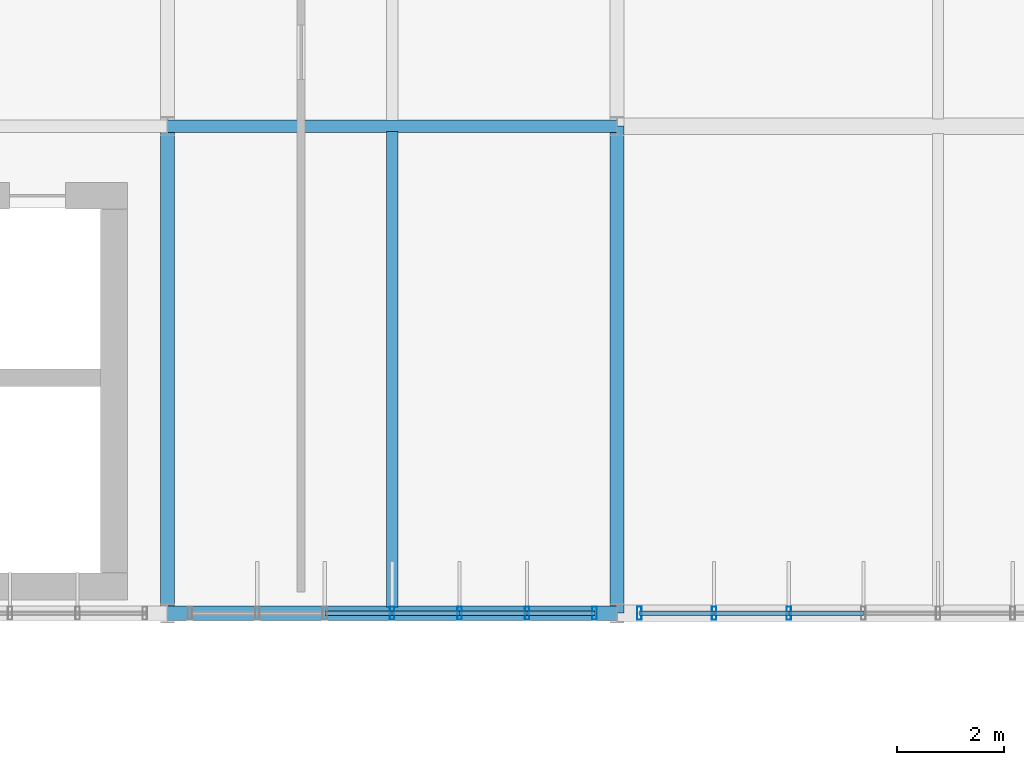
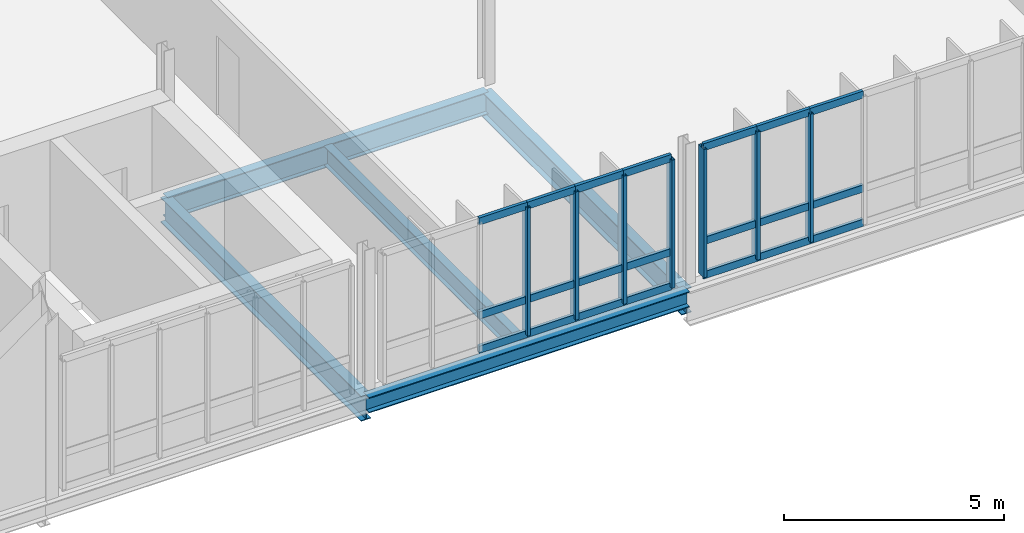
# One storey, part 33 of 61: 28 members, 5 beams, 2 elements without a shape of their own.
"""IFC4 building model written with IfcOpenShell, lengths in metres."""

import ifcopenshell
import ifcopenshell.guid

model = None  # the IFC model being written
_history = None  # IfcOwnerHistory: only IFC2X3 demands one
_inside = {}  # id of a spatial element -> (the spatial element, [elements in it])
_under = {}  # id of a project, library or spatial element -> (it, [spatial elements below it])
_declared = {}  # id of a project -> (the project, [libraries it declares])
_typed = {}  # id of a type object -> (the type object, [elements of that type])
_made_of = {}  # id of a material, layer set ... -> (it, [elements and type objects made of it])


def new_model(schema):
    """Start an empty IFC model of exactly this schema.

    Asked for "IFC4X3", IfcOpenShell would pick the latest addendum, in which some entities
    have other attributes; the version numbers below select the first issue.
    IFC2X3 requires an IfcOwnerHistory on every rooted entity: one is made here for all.
    """
    global model, _history
    if schema == "IFC4X3":
        model = ifcopenshell.file(schema_version=(4, 3, 0, 0))
    else:
        model = ifcopenshell.file(schema=schema)
    _inside.clear()
    _under.clear()
    _declared.clear()
    _typed.clear()
    _made_of.clear()
    _history = None
    if model.schema == "IFC2X3":
        org = make("IfcOrganization", Name="unknown")
        user = make(
            "IfcPersonAndOrganization",
            ThePerson=make("IfcPerson", FamilyName="unknown"),
            TheOrganization=org,
        )
        app = make(
            "IfcApplication",
            ApplicationDeveloper=org,
            Version="unknown",
            ApplicationFullName="unknown",
            ApplicationIdentifier="unknown",
        )
        _history = make(
            "IfcOwnerHistory",
            OwningUser=user,
            OwningApplication=app,
            ChangeAction="ADDED",
            CreationDate=0,
        )
    return model


def make(cls, **values):
    """One entity of the class cls with the attributes given. An attribute that is None is left unset."""
    return model.create_entity(
        cls, **{name: value for name, value in values.items() if value is not None}
    )


def rooted(cls, **values):
    """An entity with a GlobalId (a new one), such as an element, a storey or a relation."""
    return make(cls, GlobalId=ifcopenshell.guid.new(), OwnerHistory=_history, **values)


def si_unit(unit_type, name, prefix=None):
    """IfcSIUnit, for example si_unit("LENGTHUNIT", "METRE", prefix="MILLI")."""
    return make("IfcSIUnit", UnitType=unit_type, Prefix=prefix, Name=name)


def derived_unit(unit_type, elements):
    """IfcDerivedUnit: a product of units, each with its exponent."""
    return make(
        "IfcDerivedUnit",
        Elements=[
            make("IfcDerivedUnitElement", Unit=unit, Exponent=power)
            for unit, power in elements
        ],
        UnitType=unit_type,
    )


def assignment(units):
    """IfcUnitAssignment: the units of a project."""
    return None if units is None else make("IfcUnitAssignment", Units=units)


def point(xyz):
    """IfcCartesianPoint."""
    return None if xyz is None else make("IfcCartesianPoint", Coordinates=xyz)


def direction(xyz):
    """IfcDirection."""
    return None if xyz is None else make("IfcDirection", DirectionRatios=xyz)


def frame(location, z_axis=None, x_axis=None):
    """IfcAxis2Placement3D, a coordinate frame: its origin and axes. An axis left out is left unset."""
    return make(
        "IfcAxis2Placement3D",
        Location=point(location),
        Axis=direction(z_axis),
        RefDirection=direction(x_axis),
    )


def frame_2d(location, x_axis=None):
    """IfcAxis2Placement2D, a coordinate frame in the plane: its origin and x axis."""
    return make(
        "IfcAxis2Placement2D", Location=point(location), RefDirection=direction(x_axis)
    )


def origin():
    """The frame at (0, 0, 0) with its axes left unset."""
    return frame((0.0, 0.0, 0.0))


def origin_2d():
    """The frame at (0, 0) in the plane with its x axis left unset."""
    return frame_2d((0.0, 0.0))


def place(relative_to, where):
    """IfcLocalPlacement: puts the frame where relative to a parent placement (None: the world)."""
    return make(
        "IfcLocalPlacement", PlacementRelTo=relative_to, RelativePlacement=where
    )


def context(
    kind, dimensions, precision=None, world=None, true_north=None, identifier=None
):
    """IfcGeometricRepresentationContext, for example the 3D "Model" context."""
    return make(
        "IfcGeometricRepresentationContext",
        ContextIdentifier=identifier,
        ContextType=kind,
        CoordinateSpaceDimension=dimensions,
        Precision=precision,
        WorldCoordinateSystem=world,
        TrueNorth=true_north,
    )


def subcontext(parent, identifier, kind, view, scale=None):
    """IfcGeometricRepresentationSubContext, for example "Body" below "Model"."""
    return make(
        "IfcGeometricRepresentationSubContext",
        ContextIdentifier=identifier,
        ContextType=kind,
        ParentContext=parent,
        TargetScale=scale,
        TargetView=view,
    )


def project(units=None, contexts=None):
    """IfcProject with its units and contexts."""
    return rooted(
        "IfcProject",
        Name="project",
        RepresentationContexts=contexts,
        UnitsInContext=assignment(units),
    )


def spatial(cls, under=None, at=None, **own):
    """A site, building, storey or space (cls), placed at a placement, below another one or the project."""
    s = rooted(cls, ObjectPlacement=at, **own)
    if under is not None:
        _under.setdefault(under.id(), (under, []))[1].append(s)
    return s


def profile(cls, at=None, kind="AREA", **sizes):
    """A parametric profile (cls). Its sizes go by their IFC names, for example OverallWidth=200.0."""
    return make(cls, ProfileType=kind, Position=at, **sizes)


def hollow_rectangle(**sizes):
    """IfcRectangleHollowProfileDef."""
    return profile("IfcRectangleHollowProfileDef", **sizes)


def i_section(**sizes):
    """IfcIShapeProfileDef."""
    return profile("IfcIShapeProfileDef", **sizes)


def extrude(swept, where, along, depth):
    """IfcExtrudedAreaSolid: the profile swept, set in the frame where, extruded along a direction by depth."""
    return make(
        "IfcExtrudedAreaSolid",
        SweptArea=swept,
        Position=where,
        ExtrudedDirection=direction(along),
        Depth=depth,
    )


def shape(context_of_items, identifier, shape_type, items):
    """IfcShapeRepresentation: the items that make up one representation, for example the "Body"."""
    return make(
        "IfcShapeRepresentation",
        ContextOfItems=context_of_items,
        RepresentationIdentifier=identifier,
        RepresentationType=shape_type,
        Items=items,
    )


def material(Name=None, Category=None):
    """IfcMaterial."""
    return make("IfcMaterial", Name=Name, Category=Category)


def layer(
    of_material, thickness, ventilated=None, Name=None, Category=None, Priority=None
):
    """IfcMaterialLayer: one layer of a wall or slab, of a material (None: an air gap)."""
    return make(
        "IfcMaterialLayer",
        Material=of_material,
        LayerThickness=thickness,
        IsVentilated=ventilated,
        Name=Name,
        Category=Category,
        Priority=Priority,
    )


def layer_set(layers, Name=None):
    """IfcMaterialLayerSet."""
    return make("IfcMaterialLayerSet", MaterialLayers=layers, LayerSetName=Name)


def material_profile(
    of_material, cross_section, Name=None, Category=None, Priority=None
):
    """IfcMaterialProfile: a cross section and its material."""
    return make(
        "IfcMaterialProfile",
        Name=Name,
        Material=of_material,
        Profile=cross_section,
        Priority=Priority,
        Category=Category,
    )


def profile_set(profiles, Name=None, composite=None):
    """IfcMaterialProfileSet."""
    return make(
        "IfcMaterialProfileSet",
        Name=Name,
        MaterialProfiles=profiles,
        CompositeProfile=composite,
    )


def made_of(thing, what):
    """Note that an element or type object is made of a material, layer set ...; save() writes the relation."""
    if what is not None:
        _made_of.setdefault(what.id(), (what, []))[1].append(thing)
    return thing


def type_object(cls, material=None, **own):
    """A type object (cls), such as IfcWallType, which elements share."""
    return made_of(rooted(cls, **own), material)


def element(
    cls,
    number,
    at=None,
    inside=None,
    cuts=None,
    type_object=None,
    material=None,
    context=None,
    identifier="Body",
    shape_type=None,
    held_by="IfcProductDefinitionShape",
    body=None,
    shapes=None,
    **own,
):
    """One element of the class cls, such as IfcWall. Its Tag is "e" and its number.

    at: its placement. inside: the storey or other place that contains it. cuts: it is an
    opening in that element (IfcRelVoidsElement). A single representation is given by context,
    identifier, shape_type and body (its items); several are given by shapes. held_by: the class
    of the entity that holds the representations. save() writes the other relations.
    """
    e = rooted(cls, Tag="e%d" % number, ObjectPlacement=at, **own)
    if body is not None:
        shapes = [shape(context, identifier, shape_type, body)]
    if shapes is not None:
        e.Representation = make(held_by, Representations=shapes)
    if inside is not None:
        _inside.setdefault(inside.id(), (inside, []))[1].append(e)
    if cuts is not None:
        rooted(
            "IfcRelVoidsElement", RelatingBuildingElement=cuts, RelatedOpeningElement=e
        )
    if type_object is not None:
        _typed.setdefault(type_object.id(), (type_object, []))[1].append(e)
    return made_of(e, material)


def aggregate(whole, parts):
    """IfcRelAggregates: a whole, such as a stair, and the parts it consists of."""
    return rooted("IfcRelAggregates", RelatingObject=whole, RelatedObjects=parts)


def save(model, path):
    """Write the relations noted so far, then the file.

    IfcRelAggregates (storeys below a building ...), IfcRelContainedInSpatialStructure (elements
    in a storey), IfcRelDefinesByType, IfcRelAssociatesMaterial and IfcRelDeclares: one each for
    every whole, place, type object, material and project.
    """
    for whole, parts in _under.values():
        aggregate(whole, parts)
    for where, things in _inside.values():
        rooted(
            "IfcRelContainedInSpatialStructure",
            RelatedElements=things,
            RelatingStructure=where,
        )
    for kind, things in _typed.values():
        rooted("IfcRelDefinesByType", RelatedObjects=things, RelatingType=kind)
    for what, things in _made_of.values():
        rooted("IfcRelAssociatesMaterial", RelatedObjects=things, RelatingMaterial=what)
    for by, libraries in _declared.values():
        rooted("IfcRelDeclares", RelatingContext=by, RelatedDefinitions=libraries)
    model.write(path)


model = new_model("IFC4")

# Units and contexts
model_context = context("Model", 3, precision=1e-05, world=origin(), true_north=direction((0.0, 1.0)))
body_context = subcontext(model_context, "Body", "Model", "MODEL_VIEW")
ifc_project = project(units=[si_unit("LENGTHUNIT", "METRE"), si_unit("AREAUNIT", "SQUARE_METRE"), si_unit("VOLUMEUNIT", "CUBIC_METRE"), si_unit("PLANEANGLEUNIT", "RADIAN"), si_unit("MASSUNIT", "GRAM", prefix="KILO"), derived_unit("THERMALTRANSMITTANCEUNIT", [(si_unit("MASSUNIT", "GRAM", prefix="KILO"), 1), (si_unit("TIMEUNIT", "SECOND"), -3), (si_unit("THERMODYNAMICTEMPERATUREUNIT", "KELVIN"), -1)])], contexts=[model_context])

# Site, building, storey
site_placement = place(None, origin())
site = spatial("IfcSite", under=ifc_project, at=site_placement, CompositionType="ELEMENT")
building_placement = place(site_placement, origin())
building = spatial("IfcBuilding", under=site, at=building_placement, Name="Makaiwela Harbour Ferry Terminal", CompositionType="ELEMENT")
storey_placement = place(building_placement, frame((0.0, 0.0, 13.800048828125)))
storey = spatial("IfcBuildingStorey", under=building, at=storey_placement, Name="L03", CompositionType="ELEMENT", Elevation=13.800048828125)

# Curtain wall, members
ifc_material_1 = material(Name="Marine anodised aluminium 6063-T6", Category="aluminium")
ifc_layer_1 = layer(ifc_material_1, 0.199951171875)
ifc_layer_set_1 = layer_set([ifc_layer_1], Name="Marine anodised aluminium 6063-T6")
curtain_wall_type_1 = type_object("IfcCurtainWallType", Name="ENV-CW-15", PredefinedType="USERDEFINED", material=ifc_layer_set_1)
curtain_wall_1_placement = place(storey_placement, origin())
curtain_wall_1 = element("IfcCurtainWall", 1, at=curtain_wall_1_placement, inside=storey, type_object=curtain_wall_type_1, Name="Unitised Curtain Wall CWA-155", ObjectType="UNITIZED CURTAIN WALL", PredefinedType="USERDEFINED")
ifc_material_profile_1 = material_profile(ifc_material_1, hollow_rectangle(XDim=0.0849609375, YDim=0.25, WallThickness=0.0048828125, at=origin_2d()), Name="CWM-250X85")
ifc_profile_set_1 = profile_set([ifc_material_profile_1], Name="Marine anodised aluminium 6063-T6")
member_type_1 = type_object("IfcMemberType", Name="CW-MUL-250", PredefinedType="MULLION", material=ifc_profile_set_1)
member_1_placement = place(storey_placement, frame((154.97998046875, 49.39990234375, 0.0), z_axis=(0.0, 0.0, 1.0), x_axis=(1.0, 0.0, 0.0)))
member_1 = element("IfcMember", 2, at=member_1_placement, type_object=member_type_1, Name="Curtain Wall Mullion CWA-155-1", PredefinedType="MULLION", context=body_context, shape_type="SweptSolid", body=[
    extrude(hollow_rectangle(XDim=0.0849609375, YDim=0.25, WallThickness=0.0048828125, at=origin_2d()), origin(), (0.0, 0.0, 1.0), 3.550048828125),
])
member_2_placement = place(storey_placement, frame((153.719970703125, 49.39990234375, 0.0), z_axis=(0.0, 0.0, 1.0), x_axis=(1.0, 0.0, 0.0)))
member_2 = element("IfcMember", 3, at=member_2_placement, type_object=member_type_1, Name="Curtain Wall Mullion CWA-155-2", PredefinedType="MULLION", context=body_context, shape_type="SweptSolid", body=[
    extrude(hollow_rectangle(XDim=0.0849609375, YDim=0.25, WallThickness=0.0048828125, at=origin_2d()), origin(), (0.0, 0.0, 1.0), 3.550048828125),
])
member_3_placement = place(storey_placement, frame((152.4599609375, 49.39990234375, 0.0), z_axis=(0.0, 0.0, 1.0), x_axis=(1.0, 0.0, 0.0)))
member_3 = element("IfcMember", 4, at=member_3_placement, type_object=member_type_1, Name="Curtain Wall Mullion CWA-155-3", PredefinedType="MULLION", context=body_context, shape_type="SweptSolid", body=[
    extrude(hollow_rectangle(XDim=0.0849609375, YDim=0.25, WallThickness=0.0048828125, at=origin_2d()), origin(), (0.0, 0.0, 1.0), 3.550048828125),
])
member_4_placement = place(storey_placement, frame((151.199951171875, 49.39990234375, 0.0), z_axis=(0.0, 0.0, 1.0), x_axis=(1.0, 0.0, 0.0)))
member_4 = element("IfcMember", 5, at=member_4_placement, type_object=member_type_1, Name="Curtain Wall Mullion CWA-155-4", PredefinedType="MULLION", context=body_context, shape_type="SweptSolid", body=[
    extrude(hollow_rectangle(XDim=0.0849609375, YDim=0.25, WallThickness=0.0048828125, at=origin_2d()), origin(), (0.0, 0.0, 1.0), 3.550048828125),
])

ifc_layer_2 = layer(ifc_material_1, 0.199951171875)
ifc_layer_set_2 = layer_set([ifc_layer_2], Name="Marine anodised aluminium 6063-T6")
curtain_wall_type_2 = type_object("IfcCurtainWallType", Name="ENV-CW-19", PredefinedType="USERDEFINED", material=ifc_layer_set_2)
curtain_wall_2_placement = place(storey_placement, origin())
curtain_wall_2 = element("IfcCurtainWall", 6, at=curtain_wall_2_placement, inside=storey, type_object=curtain_wall_type_2, Name="Unitised Curtain Wall CWA-157", ObjectType="UNITIZED CURTAIN WALL", PredefinedType="USERDEFINED")
member_5_placement = place(storey_placement, frame((158.610107421875, 49.39990234375, 0.0), z_axis=(0.0, 0.0, 1.0), x_axis=(1.0, 0.0, 0.0)))
member_5 = element("IfcMember", 7, at=member_5_placement, type_object=member_type_1, Name="Curtain Wall Mullion CWA-157-7", PredefinedType="MULLION", context=body_context, shape_type="SweptSolid", body=[
    extrude(hollow_rectangle(XDim=0.0849609375, YDim=0.25, WallThickness=0.0048828125, at=origin_2d()), origin(), (0.0, 0.0, 1.0), 3.550048828125),
])
member_6_placement = place(storey_placement, frame((157.215087890625, 49.39990234375, 0.0), z_axis=(0.0, 0.0, 1.0), x_axis=(1.0, 0.0, 0.0)))
member_6 = element("IfcMember", 8, at=member_6_placement, type_object=member_type_1, Name="Curtain Wall Mullion CWA-157-8", PredefinedType="MULLION", context=body_context, shape_type="SweptSolid", body=[
    extrude(hollow_rectangle(XDim=0.0849609375, YDim=0.25, WallThickness=0.0048828125, at=origin_2d()), origin(), (0.0, 0.0, 1.0), 3.550048828125),
])
member_7_placement = place(storey_placement, frame((155.820068359375, 49.39990234375, 0.0), z_axis=(0.0, 0.0, 1.0), x_axis=(1.0, 0.0, 0.0)))
member_7 = element("IfcMember", 9, at=member_7_placement, type_object=member_type_1, Name="Curtain Wall Mullion CWA-157-9", PredefinedType="MULLION", context=body_context, shape_type="SweptSolid", body=[
    extrude(hollow_rectangle(XDim=0.0849609375, YDim=0.25, WallThickness=0.0048828125, at=origin_2d()), origin(), (0.0, 0.0, 1.0), 3.550048828125),
])

# Member
ifc_material_profile_2 = material_profile(ifc_material_1, hollow_rectangle(XDim=0.0849609375, YDim=0.199951171875, WallThickness=0.0048828125, at=origin_2d()), Name="CWT-200X85")
ifc_profile_set_2 = profile_set([ifc_material_profile_2], Name="Marine anodised aluminium 6063-T6")
member_type_2 = type_object("IfcMemberType", Name="CW-TRN-200", PredefinedType="USERDEFINED", material=ifc_profile_set_2)
member_8_placement = place(storey_placement, frame((154.97998046875, 49.39990234375, 0.0), z_axis=(-1.0, 0.0, 0.0), x_axis=(0.0, -1.0, 0.0)))
member_8 = element("IfcMember", 10, at=member_8_placement, type_object=member_type_2, Name="Curtain Wall Transom CWA-155-1-1", ObjectType="TRANSOM", PredefinedType="USERDEFINED", context=body_context, shape_type="SweptSolid", body=[
    extrude(hollow_rectangle(XDim=0.0849609375, YDim=0.199951171875, WallThickness=0.0048828125, at=origin_2d()), origin(), (0.0, 0.0, 1.0), 1.260009765625),
])

member_9_placement = place(storey_placement, frame((154.97998046875, 49.39990234375, 0.949951171875), z_axis=(-1.0, 0.0, 0.0), x_axis=(0.0, -1.0, 0.0)))
member_9 = element("IfcMember", 11, at=member_9_placement, type_object=member_type_2, Name="Curtain Wall Transom CWA-155-1-2", ObjectType="TRANSOM", PredefinedType="USERDEFINED", context=body_context, shape_type="SweptSolid", body=[
    extrude(hollow_rectangle(XDim=0.0849609375, YDim=0.199951171875, WallThickness=0.0048828125, at=origin_2d()), origin(), (0.0, 0.0, 1.0), 1.260009765625),
])

member_10_placement = place(storey_placement, frame((154.97998046875, 49.39990234375, 3.550048828125), z_axis=(-1.0, 0.0, 0.0), x_axis=(0.0, -1.0, 0.0)))
member_10 = element("IfcMember", 12, at=member_10_placement, type_object=member_type_2, Name="Curtain Wall Transom CWA-155-1-3", ObjectType="TRANSOM", PredefinedType="USERDEFINED", context=body_context, shape_type="SweptSolid", body=[
    extrude(hollow_rectangle(XDim=0.0849609375, YDim=0.199951171875, WallThickness=0.0048828125, at=origin_2d()), origin(), (0.0, 0.0, 1.0), 1.260009765625),
])

member_11_placement = place(storey_placement, frame((153.719970703125, 49.39990234375, 0.0), z_axis=(-1.0, 0.0, 0.0), x_axis=(0.0, -1.0, 0.0)))
member_11 = element("IfcMember", 13, at=member_11_placement, type_object=member_type_2, Name="Curtain Wall Transom CWA-155-2-1", ObjectType="TRANSOM", PredefinedType="USERDEFINED", context=body_context, shape_type="SweptSolid", body=[
    extrude(hollow_rectangle(XDim=0.0849609375, YDim=0.199951171875, WallThickness=0.0048828125, at=origin_2d()), origin(), (0.0, 0.0, 1.0), 1.260009765625),
])

member_12_placement = place(storey_placement, frame((153.719970703125, 49.39990234375, 0.949951171875), z_axis=(-1.0, 0.0, 0.0), x_axis=(0.0, -1.0, 0.0)))
member_12 = element("IfcMember", 14, at=member_12_placement, type_object=member_type_2, Name="Curtain Wall Transom CWA-155-2-2", ObjectType="TRANSOM", PredefinedType="USERDEFINED", context=body_context, shape_type="SweptSolid", body=[
    extrude(hollow_rectangle(XDim=0.0849609375, YDim=0.199951171875, WallThickness=0.0048828125, at=origin_2d()), origin(), (0.0, 0.0, 1.0), 1.260009765625),
])

member_13_placement = place(storey_placement, frame((153.719970703125, 49.39990234375, 3.550048828125), z_axis=(-1.0, 0.0, 0.0), x_axis=(0.0, -1.0, 0.0)))
member_13 = element("IfcMember", 15, at=member_13_placement, type_object=member_type_2, Name="Curtain Wall Transom CWA-155-2-3", ObjectType="TRANSOM", PredefinedType="USERDEFINED", context=body_context, shape_type="SweptSolid", body=[
    extrude(hollow_rectangle(XDim=0.0849609375, YDim=0.199951171875, WallThickness=0.0048828125, at=origin_2d()), origin(), (0.0, 0.0, 1.0), 1.260009765625),
])

member_14_placement = place(storey_placement, frame((152.4599609375, 49.39990234375, 0.0), z_axis=(-1.0, 0.0, 0.0), x_axis=(0.0, -1.0, 0.0)))
member_14 = element("IfcMember", 16, at=member_14_placement, type_object=member_type_2, Name="Curtain Wall Transom CWA-155-3-1", ObjectType="TRANSOM", PredefinedType="USERDEFINED", context=body_context, shape_type="SweptSolid", body=[
    extrude(hollow_rectangle(XDim=0.0849609375, YDim=0.199951171875, WallThickness=0.0048828125, at=origin_2d()), origin(), (0.0, 0.0, 1.0), 1.260009765625),
])

member_15_placement = place(storey_placement, frame((152.4599609375, 49.39990234375, 0.949951171875), z_axis=(-1.0, 0.0, 0.0), x_axis=(0.0, -1.0, 0.0)))
member_15 = element("IfcMember", 17, at=member_15_placement, type_object=member_type_2, Name="Curtain Wall Transom CWA-155-3-2", ObjectType="TRANSOM", PredefinedType="USERDEFINED", context=body_context, shape_type="SweptSolid", body=[
    extrude(hollow_rectangle(XDim=0.0849609375, YDim=0.199951171875, WallThickness=0.0048828125, at=origin_2d()), origin(), (0.0, 0.0, 1.0), 1.260009765625),
])

member_16_placement = place(storey_placement, frame((152.4599609375, 49.39990234375, 3.550048828125), z_axis=(-1.0, 0.0, 0.0), x_axis=(0.0, -1.0, 0.0)))
member_16 = element("IfcMember", 18, at=member_16_placement, type_object=member_type_2, Name="Curtain Wall Transom CWA-155-3-3", ObjectType="TRANSOM", PredefinedType="USERDEFINED", context=body_context, shape_type="SweptSolid", body=[
    extrude(hollow_rectangle(XDim=0.0849609375, YDim=0.199951171875, WallThickness=0.0048828125, at=origin_2d()), origin(), (0.0, 0.0, 1.0), 1.260009765625),
])

member_17_placement = place(storey_placement, frame((151.199951171875, 49.39990234375, 0.0), z_axis=(-1.0, 0.0, 0.0), x_axis=(0.0, -1.0, 0.0)))
member_17 = element("IfcMember", 19, at=member_17_placement, type_object=member_type_2, Name="Curtain Wall Transom CWA-155-4-1", ObjectType="TRANSOM", PredefinedType="USERDEFINED", context=body_context, shape_type="SweptSolid", body=[
    extrude(hollow_rectangle(XDim=0.0849609375, YDim=0.199951171875, WallThickness=0.0048828125, at=origin_2d()), origin(), (0.0, 0.0, 1.0), 1.260009765625),
])

member_18_placement = place(storey_placement, frame((151.199951171875, 49.39990234375, 0.949951171875), z_axis=(-1.0, 0.0, 0.0), x_axis=(0.0, -1.0, 0.0)))
member_18 = element("IfcMember", 20, at=member_18_placement, type_object=member_type_2, Name="Curtain Wall Transom CWA-155-4-2", ObjectType="TRANSOM", PredefinedType="USERDEFINED", context=body_context, shape_type="SweptSolid", body=[
    extrude(hollow_rectangle(XDim=0.0849609375, YDim=0.199951171875, WallThickness=0.0048828125, at=origin_2d()), origin(), (0.0, 0.0, 1.0), 1.260009765625),
])

member_19_placement = place(storey_placement, frame((151.199951171875, 49.39990234375, 3.550048828125), z_axis=(-1.0, 0.0, 0.0), x_axis=(0.0, -1.0, 0.0)))
member_19 = element("IfcMember", 21, at=member_19_placement, type_object=member_type_2, Name="Curtain Wall Transom CWA-155-4-3", ObjectType="TRANSOM", PredefinedType="USERDEFINED", context=body_context, shape_type="SweptSolid", body=[
    extrude(hollow_rectangle(XDim=0.0849609375, YDim=0.199951171875, WallThickness=0.0048828125, at=origin_2d()), origin(), (0.0, 0.0, 1.0), 1.260009765625),
])

aggregate(curtain_wall_1, [member_1, member_2, member_3, member_4, member_8, member_9, member_10, member_11, member_12, member_13, member_14, member_15, member_16, member_17, member_18, member_19])

member_20_placement = place(storey_placement, frame((160.0048828125, 49.39990234375, 0.0), z_axis=(-1.0, 0.0, 0.0), x_axis=(0.0, -1.0, 0.0)))
member_20 = element("IfcMember", 22, at=member_20_placement, type_object=member_type_2, Name="Curtain Wall Transom CWA-157-6-1", ObjectType="TRANSOM", PredefinedType="USERDEFINED", context=body_context, shape_type="SweptSolid", body=[
    extrude(hollow_rectangle(XDim=0.0849609375, YDim=0.199951171875, WallThickness=0.0048828125, at=origin_2d()), origin(), (0.0, 0.0, 1.0), 1.394775390625),
])

member_21_placement = place(storey_placement, frame((160.0048828125, 49.39990234375, 0.949951171875), z_axis=(-1.0, 0.0, 0.0), x_axis=(0.0, -1.0, 0.0)))
member_21 = element("IfcMember", 23, at=member_21_placement, type_object=member_type_2, Name="Curtain Wall Transom CWA-157-6-2", ObjectType="TRANSOM", PredefinedType="USERDEFINED", context=body_context, shape_type="SweptSolid", body=[
    extrude(hollow_rectangle(XDim=0.0849609375, YDim=0.199951171875, WallThickness=0.0048828125, at=origin_2d()), origin(), (0.0, 0.0, 1.0), 1.394775390625),
])

member_22_placement = place(storey_placement, frame((160.0048828125, 49.39990234375, 3.550048828125), z_axis=(-1.0, 0.0, 0.0), x_axis=(0.0, -1.0, 0.0)))
member_22 = element("IfcMember", 24, at=member_22_placement, type_object=member_type_2, Name="Curtain Wall Transom CWA-157-6-3", ObjectType="TRANSOM", PredefinedType="USERDEFINED", context=body_context, shape_type="SweptSolid", body=[
    extrude(hollow_rectangle(XDim=0.0849609375, YDim=0.199951171875, WallThickness=0.0048828125, at=origin_2d()), origin(), (0.0, 0.0, 1.0), 1.394775390625),
])

member_23_placement = place(storey_placement, frame((158.610107421875, 49.39990234375, 0.0), z_axis=(-1.0, 0.0, 0.0), x_axis=(0.0, -1.0, 0.0)))
member_23 = element("IfcMember", 25, at=member_23_placement, type_object=member_type_2, Name="Curtain Wall Transom CWA-157-7-1", ObjectType="TRANSOM", PredefinedType="USERDEFINED", context=body_context, shape_type="SweptSolid", body=[
    extrude(hollow_rectangle(XDim=0.0849609375, YDim=0.199951171875, WallThickness=0.0048828125, at=origin_2d()), origin(), (0.0, 0.0, 1.0), 1.39501953125),
])

member_24_placement = place(storey_placement, frame((158.610107421875, 49.39990234375, 0.949951171875), z_axis=(-1.0, 0.0, 0.0), x_axis=(0.0, -1.0, 0.0)))
member_24 = element("IfcMember", 26, at=member_24_placement, type_object=member_type_2, Name="Curtain Wall Transom CWA-157-7-2", ObjectType="TRANSOM", PredefinedType="USERDEFINED", context=body_context, shape_type="SweptSolid", body=[
    extrude(hollow_rectangle(XDim=0.0849609375, YDim=0.199951171875, WallThickness=0.0048828125, at=origin_2d()), origin(), (0.0, 0.0, 1.0), 1.39501953125),
])

member_25_placement = place(storey_placement, frame((158.610107421875, 49.39990234375, 3.550048828125), z_axis=(-1.0, 0.0, 0.0), x_axis=(0.0, -1.0, 0.0)))
member_25 = element("IfcMember", 27, at=member_25_placement, type_object=member_type_2, Name="Curtain Wall Transom CWA-157-7-3", ObjectType="TRANSOM", PredefinedType="USERDEFINED", context=body_context, shape_type="SweptSolid", body=[
    extrude(hollow_rectangle(XDim=0.0849609375, YDim=0.199951171875, WallThickness=0.0048828125, at=origin_2d()), origin(), (0.0, 0.0, 1.0), 1.39501953125),
])

member_26_placement = place(storey_placement, frame((157.215087890625, 49.39990234375, 0.0), z_axis=(-1.0, 0.0, 0.0), x_axis=(0.0, -1.0, 0.0)))
member_26 = element("IfcMember", 28, at=member_26_placement, type_object=member_type_2, Name="Curtain Wall Transom CWA-157-8-1", ObjectType="TRANSOM", PredefinedType="USERDEFINED", context=body_context, shape_type="SweptSolid", body=[
    extrude(hollow_rectangle(XDim=0.0849609375, YDim=0.199951171875, WallThickness=0.0048828125, at=origin_2d()), origin(), (0.0, 0.0, 1.0), 1.39501953125),
])

member_27_placement = place(storey_placement, frame((157.215087890625, 49.39990234375, 0.949951171875), z_axis=(-1.0, 0.0, 0.0), x_axis=(0.0, -1.0, 0.0)))
member_27 = element("IfcMember", 29, at=member_27_placement, type_object=member_type_2, Name="Curtain Wall Transom CWA-157-8-2", ObjectType="TRANSOM", PredefinedType="USERDEFINED", context=body_context, shape_type="SweptSolid", body=[
    extrude(hollow_rectangle(XDim=0.0849609375, YDim=0.199951171875, WallThickness=0.0048828125, at=origin_2d()), origin(), (0.0, 0.0, 1.0), 1.39501953125),
])

member_28_placement = place(storey_placement, frame((157.215087890625, 49.39990234375, 3.550048828125), z_axis=(-1.0, 0.0, 0.0), x_axis=(0.0, -1.0, 0.0)))
member_28 = element("IfcMember", 30, at=member_28_placement, type_object=member_type_2, Name="Curtain Wall Transom CWA-157-8-3", ObjectType="TRANSOM", PredefinedType="USERDEFINED", context=body_context, shape_type="SweptSolid", body=[
    extrude(hollow_rectangle(XDim=0.0849609375, YDim=0.199951171875, WallThickness=0.0048828125, at=origin_2d()), origin(), (0.0, 0.0, 1.0), 1.39501953125),
])

aggregate(curtain_wall_2, [member_5, member_6, member_7, member_20, member_21, member_22, member_23, member_24, member_25, member_26, member_27, member_28])

# Beams
ifc_material_2 = material(Name="Steel ASTM A992 Grade 50", Category="steel")
ifc_material_profile_3 = material_profile(ifc_material_2, i_section(OverallWidth=0.2099609375, OverallDepth=0.537109375, WebThickness=0.010986328125, FlangeThickness=0.017333984375, at=origin_2d()), Name="W21X68")
ifc_profile_set_3 = profile_set([ifc_material_profile_3], Name="Steel ASTM A992 Grade 50")
beam_type_1 = type_object("IfcBeamType", Name="STR-BM-W21X68", PredefinedType="BEAM", material=ifc_profile_set_3)
beam_1_placement = place(storey_placement, frame((151.199951171875, 49.514404296875, -0.508544921875), z_axis=(0.0, 1.0, 0.0), x_axis=(-1.0, 0.0, 0.0)))
element("IfcBeam", 31, at=beam_1_placement, inside=storey, type_object=beam_type_1, Name="Secondary floor beam 1654", PredefinedType="BEAM", context=body_context, shape_type="SweptSolid", body=[
    extrude(i_section(OverallWidth=0.2099609375, OverallDepth=0.537109375, WebThickness=0.010986328125, FlangeThickness=0.017333984375, at=origin_2d()), origin(), (0.0, 0.0, 1.0), 8.88916015625),
])
ifc_material_profile_4 = material_profile(ifc_material_2, i_section(OverallWidth=0.22900390625, OverallDepth=0.612060546875, WebThickness=0.011962890625, FlangeThickness=0.01953125, at=origin_2d()), Name="W24X84")
ifc_profile_set_4 = profile_set([ifc_material_profile_4], Name="Steel ASTM A992 Grade 50")
beam_type_2 = type_object("IfcBeamType", Name="STR-GRD-W24X84", PredefinedType="USERDEFINED", material=ifc_profile_set_4)
beam_2_placement = place(storey_placement, frame((147.0, 58.5, -0.546142578125), z_axis=(1.0, 0.0, 0.0), x_axis=(0.0, 1.0, 0.0)))
element("IfcBeam", 32, at=beam_2_placement, inside=storey, type_object=beam_type_2, Name="Primary X girder 1575", ObjectType="GIRDER", PredefinedType="USERDEFINED", context=body_context, shape_type="SweptSolid", body=[
    extrude(i_section(OverallWidth=0.22900390625, OverallDepth=0.612060546875, WebThickness=0.011962890625, FlangeThickness=0.01953125, at=origin_2d()), origin(), (0.0, 0.0, 1.0), 8.39990234375),
])
ifc_material_profile_5 = material_profile(ifc_material_2, i_section(OverallWidth=0.256103515625, OverallDepth=0.693115234375, WebThickness=0.014404296875, FlangeThickness=0.023681640625, at=origin_2d()), Name="W27X114")
ifc_profile_set_5 = profile_set([ifc_material_profile_5], Name="Steel ASTM A992 Grade 50")
beam_type_3 = type_object("IfcBeamType", Name="STR-GRD-W27X114", PredefinedType="USERDEFINED", material=ifc_profile_set_5)
for number, where, z_axis, x_axis, name in (
    (33, (147.0, 49.39990234375, -0.586669921875), (0.0, 1.0, 0.0), (-1.0, 0.0, 0.0), "Primary Y girder 1618"),
    (34, (155.39990234375, 49.39990234375, -0.586669921875), (0.0, 1.0, 0.0), (-1.0, 0.0, 0.0), "Primary Y girder 1623"),
):
    element("IfcBeam", number, at=place(storey_placement, frame(where, z_axis=z_axis, x_axis=x_axis)), inside=storey, type_object=beam_type_3, Name=name, ObjectType="GIRDER", PredefinedType="USERDEFINED", context=body_context, shape_type="SweptSolid", body=[
        extrude(i_section(OverallWidth=0.256103515625, OverallDepth=0.693115234375, WebThickness=0.014404296875, FlangeThickness=0.023681640625, at=origin_2d()), origin(), (0.0, 0.0, 1.0), 9.10009765625),
    ])
ifc_material_profile_6 = material_profile(ifc_material_2, i_section(OverallWidth=0.264892578125, OverallDepth=0.430908203125, WebThickness=0.014892578125, FlangeThickness=0.02490234375, at=origin_2d()), Name="W16X100")
ifc_profile_set_6 = profile_set([ifc_material_profile_6], Name="Steel ASTM A992 Grade 50")
beam_type_4 = type_object("IfcBeamType", Name="STR-SPN-W16X100", PredefinedType="SPANDREL", material=ifc_profile_set_6)
beam_3_placement = place(storey_placement, frame((147.0, 49.39990234375, -0.45556640625), z_axis=(1.0, 0.0, 0.0), x_axis=(0.0, 1.0, 0.0)))
element("IfcBeam", 35, at=beam_3_placement, inside=storey, type_object=beam_type_4, Name="Primary X girder 1563", PredefinedType="SPANDREL", context=body_context, shape_type="SweptSolid", body=[
    extrude(i_section(OverallWidth=0.264892578125, OverallDepth=0.430908203125, WebThickness=0.014892578125, FlangeThickness=0.02490234375, at=origin_2d()), origin(), (0.0, 0.0, 1.0), 8.39990234375),
])

save(model, "model.ifc")
